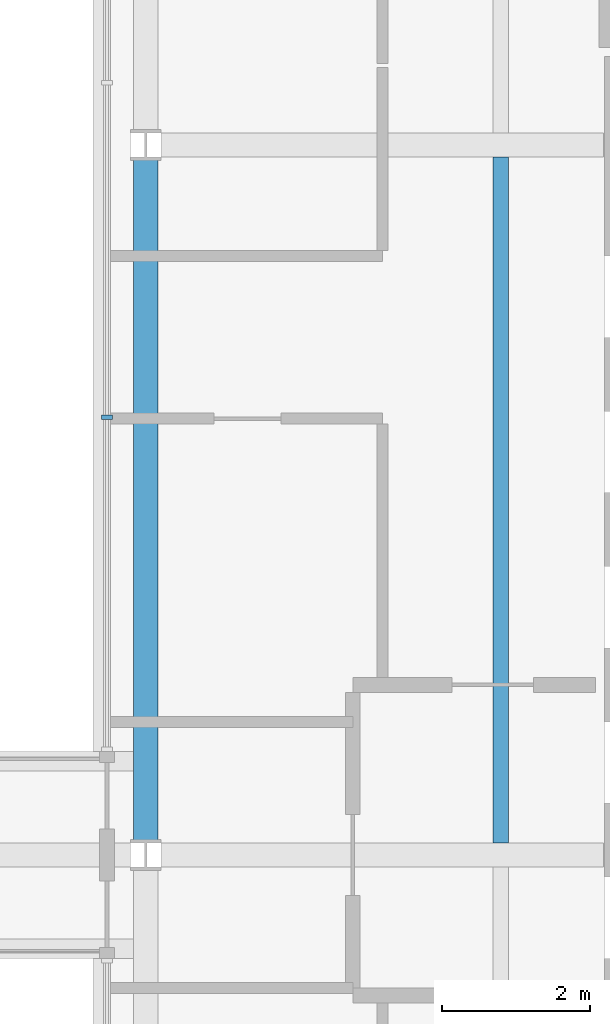
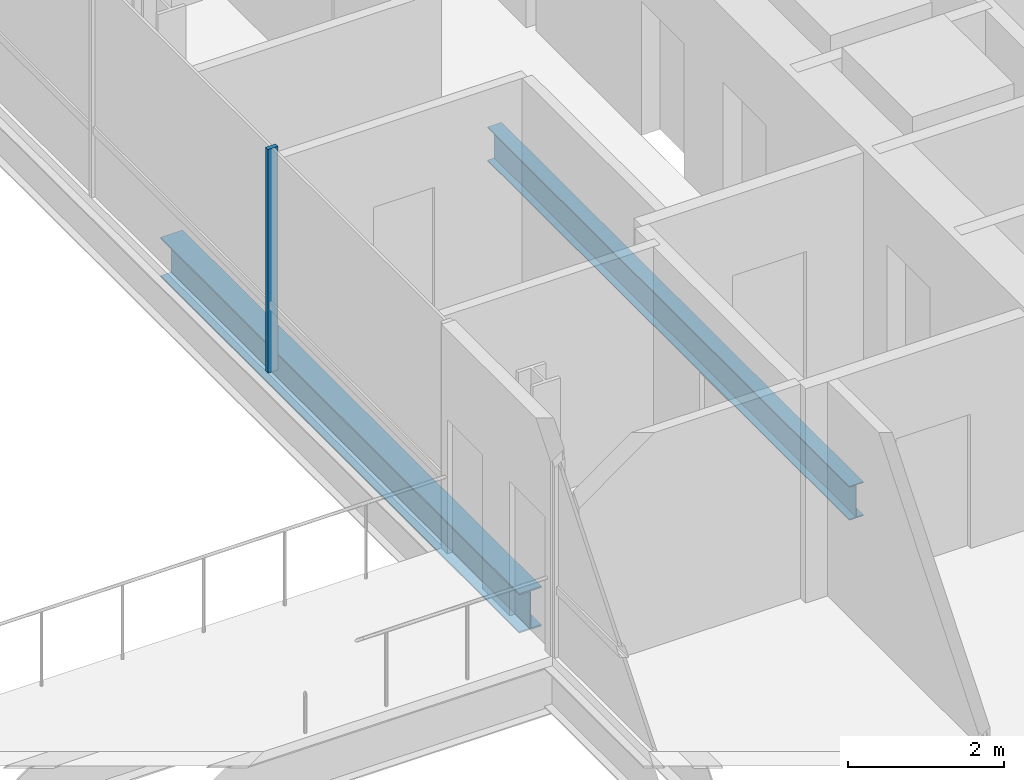
# One storey, part 5 of 21: 2 beams, 1 member, 1 element without a shape of its own.
"""IFC4 building model written with IfcOpenShell, lengths in metres."""

from ifc_helpers import new_model, si_unit, direction, frame, origin, origin_2d, place, context, subcontext, project, spatial, rectangle, i_section, extrude, material, material_profile, profile_set, type_object, element, aggregate, save


model = new_model("IFC4")

# Units and contexts
model_context = context("Model", 3, precision=1e-05, world=origin(), true_north=direction((0.0, 1.0)))
body_context = subcontext(model_context, "Body", "Model", "MODEL_VIEW")
ifc_project = project(units=[si_unit("LENGTHUNIT", "METRE"), si_unit("AREAUNIT", "SQUARE_METRE"), si_unit("VOLUMEUNIT", "CUBIC_METRE"), si_unit("PLANEANGLEUNIT", "RADIAN"), si_unit("MASSUNIT", "GRAM", prefix="KILO")], contexts=[model_context])

# Site, building, storey
site_placement = place(None, origin())
site = spatial("IfcSite", under=ifc_project, at=site_placement, CompositionType="ELEMENT")
building_placement = place(site_placement, origin())
building = spatial("IfcBuilding", under=site, at=building_placement, Name="Cobrizo Arcos Hotel Tower", CompositionType="ELEMENT")
storey_placement = place(building_placement, frame((0.0, 0.0, 74.0)))
storey = spatial("IfcBuildingStorey", under=building, at=storey_placement, Name="L17", CompositionType="ELEMENT", Elevation=74.0)

# Curtain wall, member
ifc_material_1 = material(Name="Aluminium 6063-T6 anodised bronze", Category="aluminium")
curtain_wall_type = type_object("IfcCurtainWallType", Name="CW-F void screen", PredefinedType="NOTDEFINED", material=ifc_material_1)
curtain_wall_placement = place(storey_placement, origin())
curtain_wall = element("IfcCurtainWall", 1, at=curtain_wall_placement, inside=storey, type_object=curtain_wall_type, Name="CW-F L17 void screen A", PredefinedType="NOTDEFINED")
ifc_material_profile_1 = material_profile(ifc_material_1, rectangle(XDim=0.14990234375, YDim=0.06005859375, at=origin_2d()), Name="CW-F mullion 150x60")
ifc_profile_set_1 = profile_set([ifc_material_profile_1], Name="Aluminium 6063-T6 anodised bronze")
member_type = type_object("IfcMemberType", Name="CW-F mullion 150x60", PredefinedType="MULLION", material=ifc_profile_set_1)
member_placement = place(storey_placement, frame((9.074951171875, 5.919921875, 0.0), z_axis=(0.0, 0.0, 1.0), x_axis=(1.0, 0.0, 0.0)))
member = element("IfcMember", 2, at=member_placement, type_object=member_type, Name="CW-F mullion 2", PredefinedType="MULLION", context=body_context, shape_type="SweptSolid", body=[
    extrude(rectangle(XDim=0.14990234375, YDim=0.06005859375, at=origin_2d()), origin(), (0.0, 0.0, 1.0), 3.5),
])
aggregate(curtain_wall, [member])

# Beams
ifc_material_2 = material(Name="Steel ASTM A992 Grade 50", Category="steel")
ifc_material_profile_2 = material_profile(ifc_material_2, i_section(OverallWidth=0.209228515625, OverallDepth=0.533447265625, WebThickness=0.01025390625, FlangeThickness=0.015625, at=origin_2d()), Name="W21X62")
ifc_profile_set_2 = profile_set([ifc_material_profile_2], Name="Steel ASTM A992 Grade 50")
beam_type_1 = type_object("IfcBeamType", Name="W21X62 joist", PredefinedType="JOIST", material=ifc_profile_set_2)
beam_1_placement = place(storey_placement, frame((14.39990234375, 0.163818359375, -0.416748046875), z_axis=(0.0, 1.0, 0.0), x_axis=(-1.0, 0.0, 0.0)))
element("IfcBeam", 3, at=beam_1_placement, inside=storey, type_object=beam_type_1, Name="Floor joist J1, L17, no. 009", PredefinedType="JOIST", context=body_context, shape_type="SweptSolid", body=[
    extrude(i_section(OverallWidth=0.209228515625, OverallDepth=0.533447265625, WebThickness=0.01025390625, FlangeThickness=0.015625, at=origin_2d()), origin(), (0.0, 0.0, 1.0), 9.272216796875),
])
ifc_material_profile_3 = material_profile(ifc_material_2, i_section(OverallWidth=0.32763671875, OverallDepth=0.622314453125, WebThickness=0.015380859375, FlangeThickness=0.0244140625, at=origin_2d()), Name="W24X131")
ifc_profile_set_3 = profile_set([ifc_material_profile_3], Name="Steel ASTM A992 Grade 50")
beam_type_2 = type_object("IfcBeamType", Name="W24X131 girder", PredefinedType="BEAM", material=ifc_profile_set_3)
beam_2_placement = place(storey_placement, frame((9.60009765625, 0.204345703125, -0.461181640625), z_axis=(0.0, 1.0, 0.0), x_axis=(-1.0, 0.0, 0.0)))
element("IfcBeam", 4, at=beam_2_placement, inside=storey, type_object=beam_type_2, Name="Floor girder G1, L17, no. 014", PredefinedType="BEAM", context=body_context, shape_type="SweptSolid", body=[
    extrude(i_section(OverallWidth=0.32763671875, OverallDepth=0.622314453125, WebThickness=0.015380859375, FlangeThickness=0.0244140625, at=origin_2d()), origin(), (0.0, 0.0, 1.0), 9.191162109375),
])

save(model, "model.ifc")
